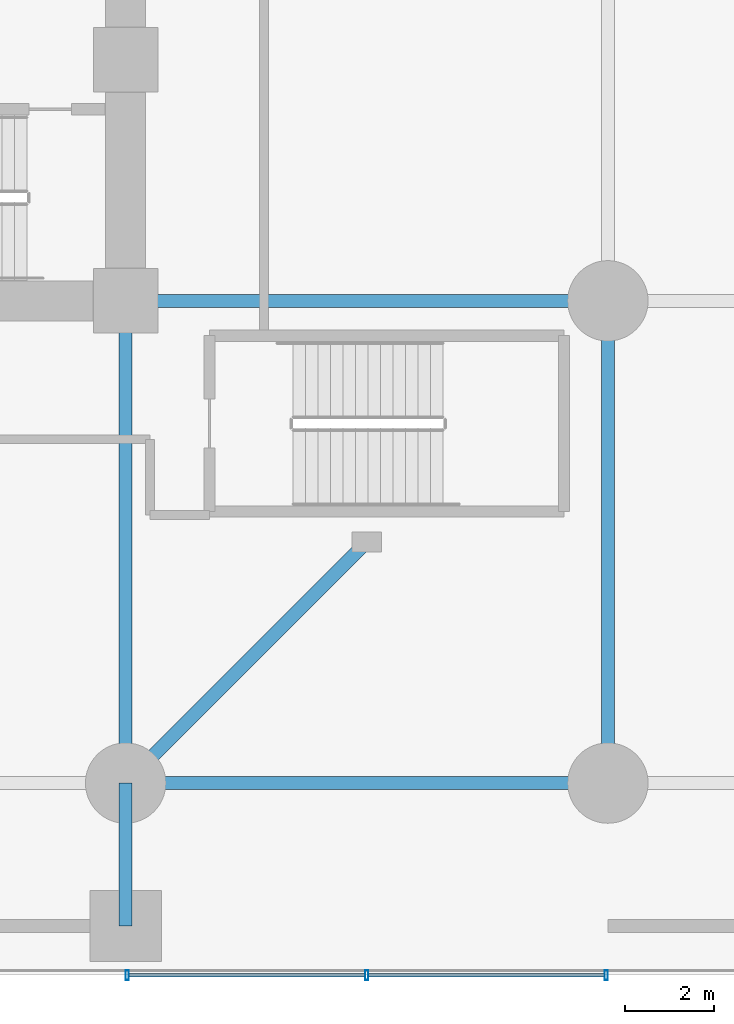
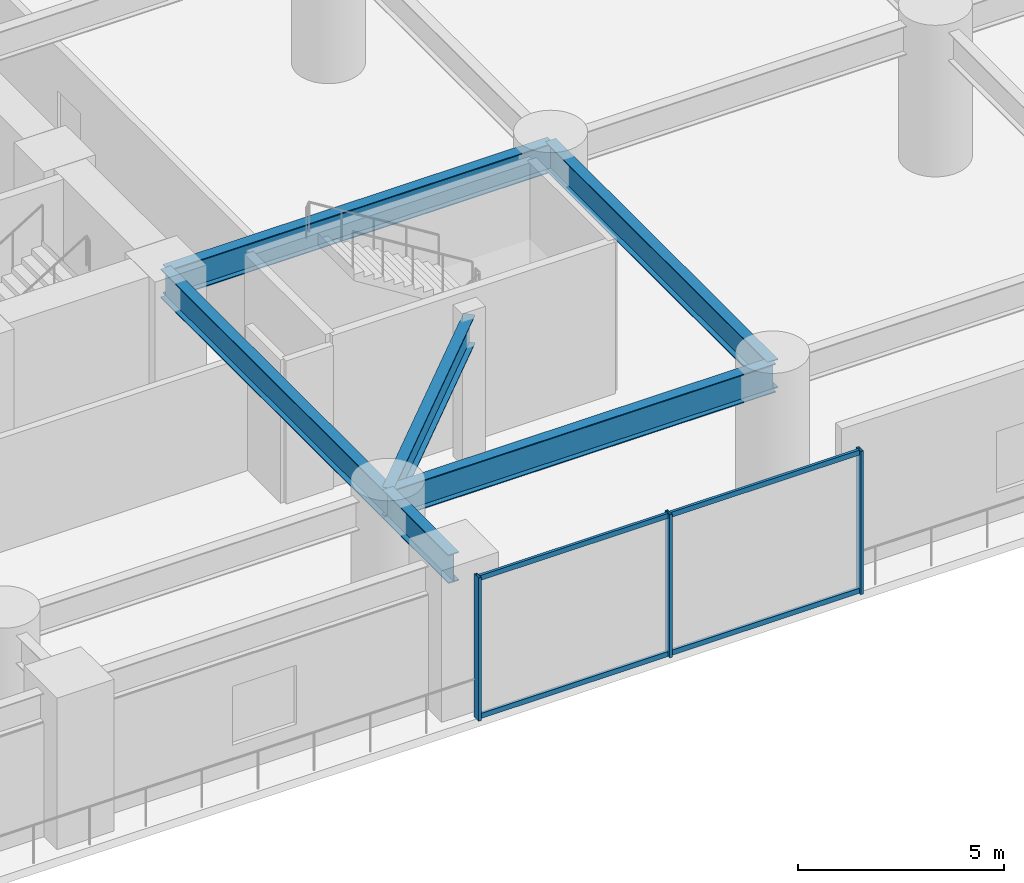
# One storey, part 9 of 36: 7 members, 6 beams, 1 element without a shape of its own.
"""IFC4 building model written with IfcOpenShell, lengths in metres."""

from ifc_helpers import new_model, si_unit, direction, frame, origin, origin_2d, place, context, subcontext, project, spatial, hollow_rectangle, i_section, extrude, material, layer, layer_set, material_profile, profile_set, type_object, element, aggregate, save


model = new_model("IFC4")

# Units and contexts
model_context = context("Model", 3, precision=1e-05, world=origin(), true_north=direction((0.0, 1.0)))
body_context = subcontext(model_context, "Body", "Model", "MODEL_VIEW")
ifc_project = project(units=[si_unit("LENGTHUNIT", "METRE"), si_unit("AREAUNIT", "SQUARE_METRE"), si_unit("VOLUMEUNIT", "CUBIC_METRE"), si_unit("PLANEANGLEUNIT", "RADIAN"), si_unit("MASSUNIT", "GRAM", prefix="KILO")], contexts=[model_context])

# Site, building, storey
site_placement = place(None, origin())
site = spatial("IfcSite", under=ifc_project, at=site_placement, CompositionType="ELEMENT")
building_placement = place(site_placement, origin())
building = spatial("IfcBuilding", under=site, at=building_placement, Name="Surkhivell Harbour Commons", CompositionType="ELEMENT")
storey_placement = place(building_placement, frame((0.0, 0.0, 9.0)))
storey = spatial("IfcBuildingStorey", under=building, at=storey_placement, Name="L02", CompositionType="ELEMENT", Elevation=9.0)

# Beams
ifc_material_1 = material(Name="Steel S460", Category="steel")
ifc_material_profile_1 = material_profile(ifc_material_1, i_section(OverallWidth=0.2939453125, OverallDepth=0.85107421875, WebThickness=0.01611328125, FlangeThickness=0.02685546875, at=origin_2d()), Name="UB838x292x226")
ifc_profile_set_1 = profile_set([ifc_material_profile_1], Name="Steel S460")
beam_type = type_object("IfcBeamType", Name="BM-SPN-838", PredefinedType="SPANDREL", material=ifc_profile_set_1)
beam_1_placement = place(storey_placement, frame((10.800048828125, -24.800048828125, 3.824462890625), z_axis=(0.0, 1.0, 0.0), x_axis=(-1.0, 0.0, 0.0)))
element("IfcBeam", 1, at=beam_1_placement, inside=storey, type_object=beam_type, Name="L02 Framing Beam (10.8,-24.8)", PredefinedType="SPANDREL", context=body_context, shape_type="SweptSolid", body=[
    extrude(i_section(OverallWidth=0.2939453125, OverallDepth=0.85107421875, WebThickness=0.01611328125, FlangeThickness=0.02685546875, at=origin_2d()), origin(), (0.0, 0.0, 1.0), 3.199951171875),
])
beam_2_placement = place(storey_placement, frame((10.800048828125, -21.60009765625, 3.824462890625), z_axis=(0.0, 1.0, 0.0), x_axis=(-1.0, 0.0, 0.0)))
element("IfcBeam", 2, at=beam_2_placement, inside=storey, type_object=beam_type, Name="L02 Framing Beam (10.8,-21.6)", PredefinedType="SPANDREL", context=body_context, shape_type="SweptSolid", body=[
    extrude(i_section(OverallWidth=0.2939453125, OverallDepth=0.85107421875, WebThickness=0.01611328125, FlangeThickness=0.02685546875, at=origin_2d()), origin(), (0.0, 0.0, 1.0), 10.800048828125),
])
beam_3_placement = place(storey_placement, frame((10.800048828125, -21.60009765625, 3.824462890625), z_axis=(0.707090796496, 0.707122765516, 0.0), x_axis=(-0.707122765516, 0.707090796496, 0.0)))
element("IfcBeam", 3, at=beam_3_placement, inside=storey, type_object=beam_type, Name="L02 Framing Beam (10.8,-21.6)", PredefinedType="SPANDREL", context=body_context, shape_type="SweptSolid", body=[
    extrude(i_section(OverallWidth=0.2939453125, OverallDepth=0.85107421875, WebThickness=0.01611328125, FlangeThickness=0.02685546875, at=origin_2d()), origin(), (0.0, 0.0, 1.0), 7.63671875),
])
for number, where, z_axis, x_axis, name in (
    (4, (10.800048828125, -21.60009765625, 3.824462890625), (1.0, 0.0, 0.0), (0.0, 1.0, 0.0), "L02 Framing Beam (10.8,-21.6)"),
    (5, (10.800048828125, -10.800048828125, 3.824462890625), (1.0, 0.0, 0.0), (0.0, 1.0, 0.0), "L02 Framing Beam (10.8,-10.8)"),
    (6, (21.60009765625, -21.60009765625, 3.824462890625), (0.0, 1.0, 0.0), (-1.0, 0.0, 0.0), "L02 Framing Beam (21.6,-21.6)"),
):
    element("IfcBeam", number, at=place(storey_placement, frame(where, z_axis=z_axis, x_axis=x_axis)), inside=storey, type_object=beam_type, Name=name, PredefinedType="SPANDREL", context=body_context, shape_type="SweptSolid", body=[
        extrude(i_section(OverallWidth=0.2939453125, OverallDepth=0.85107421875, WebThickness=0.01611328125, FlangeThickness=0.02685546875, at=origin_2d()), origin(), (0.0, 0.0, 1.0), 10.800048828125),
    ])

# Curtain wall, members
ifc_material_2 = material(Name="Anodised pale-metal aluminium and insulated glazing", Category="aluminium")
ifc_layer = layer(ifc_material_2, 0.239990234375)
ifc_layer_set = layer_set([ifc_layer], Name="Anodised pale-metal aluminium and insulated glazing")
curtain_wall_type = type_object("IfcCurtainWallType", Name="CW-SYS-POD", PredefinedType="NOTDEFINED", material=ifc_layer_set)
curtain_wall_placement = place(storey_placement, origin())
curtain_wall = element("IfcCurtainWall", 7, at=curtain_wall_placement, inside=storey, type_object=curtain_wall_type, Name="L02 Curtain Wall CW-L02-S6", PredefinedType="NOTDEFINED")
ifc_material_3 = material(Name="Anodised pale-metal aluminium alloy 6063-T6", Category="aluminium")
ifc_material_profile_2 = material_profile(ifc_material_3, hollow_rectangle(XDim=0.074951171875, YDim=0.219970703125, WallThickness=0.00390625, at=origin_2d()), Name="ALU-MULL-75x220")
ifc_profile_set_2 = profile_set([ifc_material_profile_2], Name="Anodised pale-metal aluminium alloy 6063-T6")
member_type_1 = type_object("IfcMemberType", Name="CWM-220", PredefinedType="MULLION", material=ifc_profile_set_2)
member_1_placement = place(storey_placement, frame((21.5625, -25.89990234375, 0.0), z_axis=(0.0, 0.0, 1.0), x_axis=(-1.0, 0.0, 0.0)))
member_1 = element("IfcMember", 8, at=member_1_placement, type_object=member_type_1, Name="CW-POD mullion 1", PredefinedType="MULLION", context=body_context, shape_type="SweptSolid", body=[
    extrude(hollow_rectangle(XDim=0.074951171875, YDim=0.219970703125, WallThickness=0.00390625, at=origin_2d()), origin(), (0.0, 0.0, 1.0), 4.25),
])
member_2_placement = place(storey_placement, frame((16.199951171875, -25.89990234375, 0.0), z_axis=(0.0, 0.0, 1.0), x_axis=(-1.0, 0.0, 0.0)))
member_2 = element("IfcMember", 9, at=member_2_placement, type_object=member_type_1, Name="CW-POD mullion 2", PredefinedType="MULLION", context=body_context, shape_type="SweptSolid", body=[
    extrude(hollow_rectangle(XDim=0.074951171875, YDim=0.219970703125, WallThickness=0.00390625, at=origin_2d()), origin(), (0.0, 0.0, 1.0), 4.25),
])
member_3_placement = place(storey_placement, frame((10.83740234375, -25.89990234375, 0.0), z_axis=(0.0, 0.0, 1.0), x_axis=(-1.0, 0.0, 0.0)))
member_3 = element("IfcMember", 10, at=member_3_placement, type_object=member_type_1, Name="CW-POD mullion 3", PredefinedType="MULLION", context=body_context, shape_type="SweptSolid", body=[
    extrude(hollow_rectangle(XDim=0.074951171875, YDim=0.219970703125, WallThickness=0.00390625, at=origin_2d()), origin(), (0.0, 0.0, 1.0), 4.25),
])
ifc_material_profile_3 = material_profile(ifc_material_3, hollow_rectangle(XDim=0.074951171875, YDim=0.14990234375, WallThickness=0.00341796875, at=origin_2d()), Name="ALU-TRAN-75x150")
ifc_profile_set_3 = profile_set([ifc_material_profile_3], Name="Anodised pale-metal aluminium alloy 6063-T6")
member_type_2 = type_object("IfcMemberType", Name="CWT-150", PredefinedType="USERDEFINED", material=ifc_profile_set_3)
member_4_placement = place(storey_placement, frame((21.52490234375, -25.89990234375, 0.074951171875), z_axis=(-1.0, 0.0, 0.0), x_axis=(0.0, -1.0, 0.0)))
member_4 = element("IfcMember", 11, at=member_4_placement, type_object=member_type_2, Name="CW-POD transom 1.1", ObjectType="TRANSOM", PredefinedType="USERDEFINED", context=body_context, shape_type="SweptSolid", body=[
    extrude(hollow_rectangle(XDim=0.074951171875, YDim=0.14990234375, WallThickness=0.00341796875, at=origin_2d()), origin(), (0.0, 0.0, 1.0), 5.287353515625),
])
member_5_placement = place(storey_placement, frame((21.52490234375, -25.89990234375, 4.175048828125), z_axis=(-1.0, 0.0, 0.0), x_axis=(0.0, -1.0, 0.0)))
member_5 = element("IfcMember", 12, at=member_5_placement, type_object=member_type_2, Name="CW-POD transom 1.2", ObjectType="TRANSOM", PredefinedType="USERDEFINED", context=body_context, shape_type="SweptSolid", body=[
    extrude(hollow_rectangle(XDim=0.074951171875, YDim=0.14990234375, WallThickness=0.00341796875, at=origin_2d()), origin(), (0.0, 0.0, 1.0), 5.287353515625),
])
member_6_placement = place(storey_placement, frame((16.16259765625, -25.89990234375, 0.074951171875), z_axis=(-1.0, 0.0, 0.0), x_axis=(0.0, -1.0, 0.0)))
member_6 = element("IfcMember", 13, at=member_6_placement, type_object=member_type_2, Name="CW-POD transom 2.1", ObjectType="TRANSOM", PredefinedType="USERDEFINED", context=body_context, shape_type="SweptSolid", body=[
    extrude(hollow_rectangle(XDim=0.074951171875, YDim=0.14990234375, WallThickness=0.00341796875, at=origin_2d()), origin(), (0.0, 0.0, 1.0), 5.28759765625),
])
member_7_placement = place(storey_placement, frame((16.16259765625, -25.89990234375, 4.175048828125), z_axis=(-1.0, 0.0, 0.0), x_axis=(0.0, -1.0, 0.0)))
member_7 = element("IfcMember", 14, at=member_7_placement, type_object=member_type_2, Name="CW-POD transom 2.2", ObjectType="TRANSOM", PredefinedType="USERDEFINED", context=body_context, shape_type="SweptSolid", body=[
    extrude(hollow_rectangle(XDim=0.074951171875, YDim=0.14990234375, WallThickness=0.00341796875, at=origin_2d()), origin(), (0.0, 0.0, 1.0), 5.28759765625),
])
aggregate(curtain_wall, [member_1, member_2, member_3, member_4, member_5, member_6, member_7])

save(model, "model.ifc")
